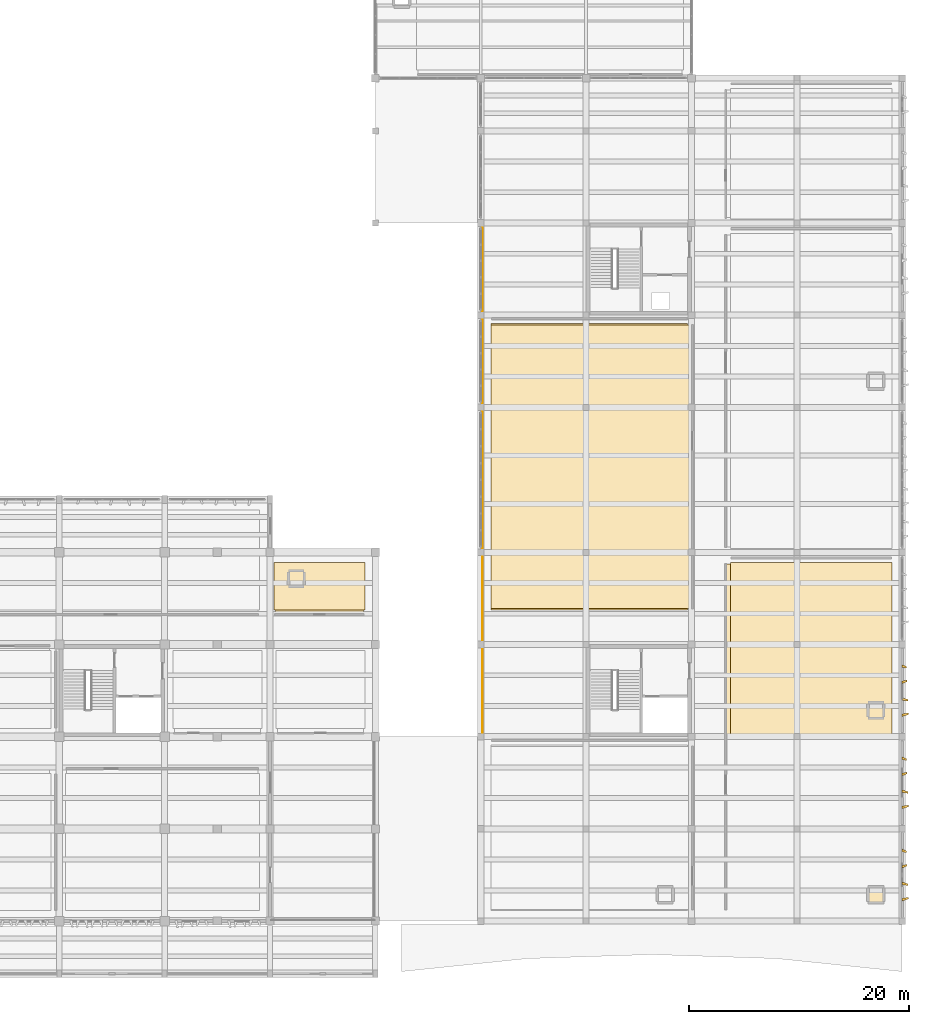
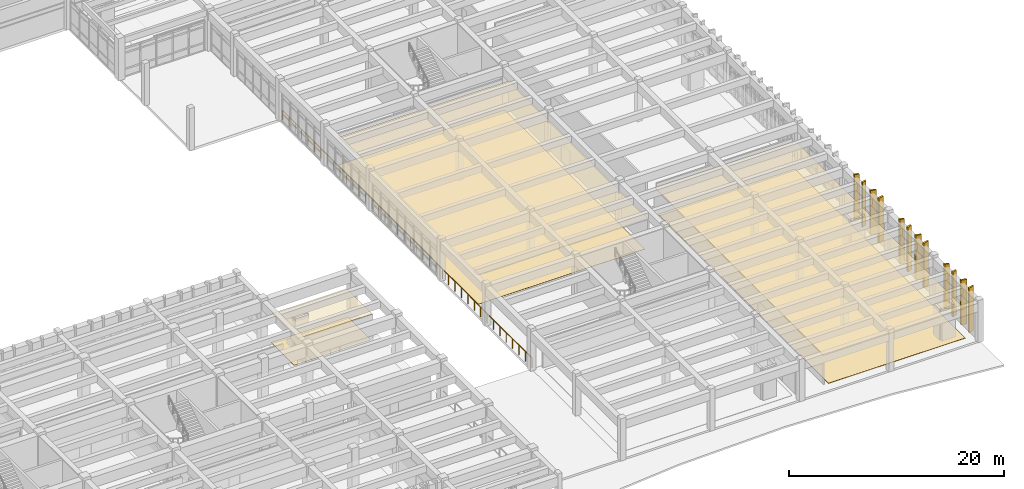
# One storey, part 84 of 86: 18 coverings, 1 railing.
"""IFC4 building model written with IfcOpenShell, lengths in metres."""

from ifc_helpers import new_model, si_unit, direction, frame, origin, origin_2d, place, context, subcontext, project, spatial, polyline, circle, outline, extrude, material, layer, layer_set, type_object, element, save


model = new_model("IFC4")

# Units and contexts
model_context = context("Model", 3, precision=1e-05, world=origin(), true_north=direction((0.0, 1.0)))
body_context = subcontext(model_context, "Body", "Model", "MODEL_VIEW")
ifc_project = project(units=[si_unit("LENGTHUNIT", "METRE"), si_unit("AREAUNIT", "SQUARE_METRE"), si_unit("VOLUMEUNIT", "CUBIC_METRE"), si_unit("PLANEANGLEUNIT", "RADIAN"), si_unit("MASSUNIT", "GRAM", prefix="KILO")], contexts=[model_context])

# Site, building, storey
site_placement = place(None, origin())
site = spatial("IfcSite", under=ifc_project, at=site_placement, CompositionType="ELEMENT")
building_placement = place(site_placement, origin())
building = spatial("IfcBuilding", under=site, at=building_placement, Name="Kolvemor Railside Polytechnic", CompositionType="ELEMENT")
storey_placement = place(building_placement, frame((0.0, 0.0, 5.39990234375)))
storey = spatial("IfcBuildingStorey", under=building, at=storey_placement, Name="L01", CompositionType="ELEMENT", Elevation=5.39990234375)

# Coverings
ifc_material_1 = material(Name="Perforated acoustic mineral-fibre and timber-slat ceiling", Category="wood")
ifc_layer_1 = layer(ifc_material_1, 0.02490234375, Name="COV-CEIL-1")
ifc_layer_set_1 = layer_set([ifc_layer_1], Name="Perforated acoustic mineral-fibre and timber-slat ceiling")
covering_type_1 = type_object("IfcCoveringType", Name="COV-CEIL-1", PredefinedType="CEILING", material=ifc_layer_set_1)
covering_1_placement = place(storey_placement, frame((0.0, 0.0, 3.235107421875)))
element("IfcCovering", 1, at=covering_1_placement, inside=storey, type_object=covering_type_1, Name="Laboratory Prep and Technician Office L01 Acoustic Ceiling", PredefinedType="CEILING", context=body_context, shape_type="SweptSolid", body=[
    extrude(outline(polyline([(125.280029296875, 32.719970703125), (133.320068359375, 32.719970703125), (133.320068359375, 37.449951171875), (125.280029296875, 37.449951171875), (125.280029296875, 32.719970703125)])), origin(), (0.0, 0.0, 1.0), 0.02490234375),
])
covering_2_placement = place(storey_placement, frame((0.0, 0.0, 3.235107421875)))
element("IfcCovering", 2, at=covering_2_placement, inside=storey, type_object=covering_type_1, Name="Student Study Lounge L01 Acoustic Ceiling", PredefinedType="CEILING", context=body_context, shape_type="SweptSolid", body=[
    extrude(outline(polyline([(144.949951171875, 33.280029296875), (163.280029296875, 33.280029296875), (163.280029296875, 59.1201171875), (144.949951171875, 59.1201171875), (144.949951171875, 33.280029296875)])), origin(), (0.0, 0.0, 1.0), 0.02490234375),
])
ifc_material_2 = material(Name="Perforated acoustic mineral-fibre and timber-slat ceiling", Category="wood")
ifc_layer_2 = layer(ifc_material_2, 0.034912109375, Name="COV-CEIL-3")
ifc_layer_set_2 = layer_set([ifc_layer_2], Name="Perforated acoustic mineral-fibre and timber-slat ceiling")
covering_type_2 = type_object("IfcCoveringType", Name="COV-CEIL-3", PredefinedType="CEILING", material=ifc_layer_set_2)
covering_3_placement = place(storey_placement, frame((0.0, 0.0, 3.22509765625)))
element("IfcCovering", 3, at=covering_3_placement, inside=storey, type_object=covering_type_2, Name="Student Media and Radio Studio Acoustic Ceiling", PredefinedType="CEILING", context=body_context, shape_type="SweptSolid", body=[
    extrude(outline(polyline([(166.320068359375, 5.8798828125), (181.449951171875, 5.8798828125), (181.449951171875, 37.320068359375), (166.320068359375, 37.320068359375), (166.320068359375, 5.8798828125)])), origin(), (0.0, 0.0, 1.0), 0.034912109375),
])
ifc_material_3 = material(Name="Sea-mist PVDF-anodised marine aluminium 5052-H32", Category="aluminium")
ifc_layer_3 = layer(ifc_material_3, 0.159912109375, Name="COV-FIN-MIST")
ifc_layer_set_3 = layer_set([ifc_layer_3], Name="Sea-mist PVDF-anodised marine aluminium 5052-H32")
covering_type_3 = type_object("IfcCoveringType", Name="COV-FIN-MIST", PredefinedType="CLADDING", material=ifc_layer_set_3)
covering_4_placement = place(storey_placement, frame((0.0, 0.0, -0.27978515625)))
element("IfcCovering", 4, at=covering_4_placement, inside=storey, type_object=covering_type_3, Name="Pleated Solar Fin L01-0068", PredefinedType="CLADDING", context=body_context, shape_type="SweptSolid", body=[
    extrude(outline(polyline([(182.364990234375, 6.635009765625), (182.364990234375, 6.864990234375), (182.964111328125, 6.969970703125), (182.964111328125, 6.81005859375), (182.364990234375, 6.635009765625)])), origin(), (0.0, 0.0, 1.0), 5.079833984375),
])
covering_5_placement = place(storey_placement, frame((0.0, 0.0, -0.27978515625)))
element("IfcCovering", 5, at=covering_5_placement, inside=storey, type_object=covering_type_3, Name="Pleated Solar Fin L01-0069", PredefinedType="CLADDING", context=body_context, shape_type="SweptSolid", body=[
    extrude(outline(polyline([(182.364990234375, 8.135009765625), (182.364990234375, 8.364990234375), (182.927978515625, 8.18994140625), (182.927978515625, 8.030029296875), (182.364990234375, 8.135009765625)])), origin(), (0.0, 0.0, 1.0), 5.079833984375),
])
covering_6_placement = place(storey_placement, frame((0.0, 0.0, -0.27978515625)))
element("IfcCovering", 6, at=covering_6_placement, inside=storey, type_object=covering_type_3, Name="Pleated Solar Fin L01-0070", PredefinedType="CLADDING", context=body_context, shape_type="SweptSolid", body=[
    extrude(outline(polyline([(182.364990234375, 9.635009765625), (182.364990234375, 9.864990234375), (182.842041015625, 9.969970703125), (182.842041015625, 9.81005859375), (182.364990234375, 9.635009765625)])), origin(), (0.0, 0.0, 1.0), 5.079833984375),
])
covering_7_placement = place(storey_placement, frame((0.0, 0.0, -0.27978515625)))
element("IfcCovering", 7, at=covering_7_placement, inside=storey, type_object=covering_type_3, Name="Pleated Solar Fin L01-0071", PredefinedType="CLADDING", context=body_context, shape_type="SweptSolid", body=[
    extrude(outline(polyline([(182.364990234375, 11.135009765625), (182.364990234375, 11.364990234375), (182.805908203125, 11.18994140625), (182.805908203125, 11.030029296875), (182.364990234375, 11.135009765625)])), origin(), (0.0, 0.0, 1.0), 5.079833984375),
])
covering_8_placement = place(storey_placement, frame((0.0, 0.0, -0.27978515625)))
element("IfcCovering", 8, at=covering_8_placement, inside=storey, type_object=covering_type_3, Name="Pleated Solar Fin L01-0089", PredefinedType="CLADDING", context=body_context, shape_type="SweptSolid", body=[
    extrude(outline(polyline([(182.364990234375, 15.034912109375), (182.364990234375, 15.264892578125), (182.964111328125, 15.3701171875), (182.964111328125, 15.2099609375), (182.364990234375, 15.034912109375)])), origin(), (0.0, 0.0, 1.0), 5.079833984375),
])
covering_9_placement = place(storey_placement, frame((0.0, 0.0, -0.27978515625)))
element("IfcCovering", 9, at=covering_9_placement, inside=storey, type_object=covering_type_3, Name="Pleated Solar Fin L01-0090", PredefinedType="CLADDING", context=body_context, shape_type="SweptSolid", body=[
    extrude(outline(polyline([(182.364990234375, 16.534912109375), (182.364990234375, 16.764892578125), (182.927978515625, 16.590087890625), (182.927978515625, 16.429931640625), (182.364990234375, 16.534912109375)])), origin(), (0.0, 0.0, 1.0), 5.079833984375),
])
covering_10_placement = place(storey_placement, frame((0.0, 0.0, -0.27978515625)))
element("IfcCovering", 10, at=covering_10_placement, inside=storey, type_object=covering_type_3, Name="Pleated Solar Fin L01-0091", PredefinedType="CLADDING", context=body_context, shape_type="SweptSolid", body=[
    extrude(outline(polyline([(182.364990234375, 18.034912109375), (182.364990234375, 18.264892578125), (182.842041015625, 18.3701171875), (182.842041015625, 18.2099609375), (182.364990234375, 18.034912109375)])), origin(), (0.0, 0.0, 1.0), 5.079833984375),
])
covering_11_placement = place(storey_placement, frame((0.0, 0.0, -0.27978515625)))
element("IfcCovering", 11, at=covering_11_placement, inside=storey, type_object=covering_type_3, Name="Pleated Solar Fin L01-0092", PredefinedType="CLADDING", context=body_context, shape_type="SweptSolid", body=[
    extrude(outline(polyline([(182.364990234375, 19.534912109375), (182.364990234375, 19.764892578125), (182.805908203125, 19.590087890625), (182.805908203125, 19.429931640625), (182.364990234375, 19.534912109375)])), origin(), (0.0, 0.0, 1.0), 5.079833984375),
])
covering_12_placement = place(storey_placement, frame((0.0, 0.0, -0.27978515625)))
element("IfcCovering", 12, at=covering_12_placement, inside=storey, type_object=covering_type_3, Name="Pleated Solar Fin L01-0114", PredefinedType="CLADDING", context=body_context, shape_type="SweptSolid", body=[
    extrude(outline(polyline([(182.364990234375, 23.43505859375), (182.364990234375, 23.6650390625), (182.964111328125, 23.77001953125), (182.964111328125, 23.610107421875), (182.364990234375, 23.43505859375)])), origin(), (0.0, 0.0, 1.0), 5.079833984375),
])
covering_13_placement = place(storey_placement, frame((0.0, 0.0, -0.27978515625)))
element("IfcCovering", 13, at=covering_13_placement, inside=storey, type_object=covering_type_3, Name="Pleated Solar Fin L01-0115", PredefinedType="CLADDING", context=body_context, shape_type="SweptSolid", body=[
    extrude(outline(polyline([(182.364990234375, 24.93505859375), (182.364990234375, 25.1650390625), (182.927978515625, 24.989990234375), (182.927978515625, 24.830078125), (182.364990234375, 24.93505859375)])), origin(), (0.0, 0.0, 1.0), 5.079833984375),
])
covering_14_placement = place(storey_placement, frame((0.0, 0.0, -0.27978515625)))
element("IfcCovering", 14, at=covering_14_placement, inside=storey, type_object=covering_type_3, Name="Pleated Solar Fin L01-0116", PredefinedType="CLADDING", context=body_context, shape_type="SweptSolid", body=[
    extrude(outline(polyline([(182.364990234375, 26.43505859375), (182.364990234375, 26.6650390625), (182.842041015625, 26.77001953125), (182.842041015625, 26.610107421875), (182.364990234375, 26.43505859375)])), origin(), (0.0, 0.0, 1.0), 5.079833984375),
])
covering_15_placement = place(storey_placement, frame((0.0, 0.0, -0.27978515625)))
element("IfcCovering", 15, at=covering_15_placement, inside=storey, type_object=covering_type_3, Name="Pleated Solar Fin L01-0117", PredefinedType="CLADDING", context=body_context, shape_type="SweptSolid", body=[
    extrude(outline(polyline([(182.364990234375, 27.93505859375), (182.364990234375, 28.1650390625), (182.805908203125, 27.989990234375), (182.805908203125, 27.830078125), (182.364990234375, 27.93505859375)])), origin(), (0.0, 0.0, 1.0), 5.079833984375),
])
ifc_material_4 = material(Name="Polished coral-aggregate terrazzo and laboratory epoxy flooring")
ifc_layer_4 = layer(ifc_material_4, 0.02001953125, Name="COV-FLR-1")
ifc_layer_set_4 = layer_set([ifc_layer_4], Name="Polished coral-aggregate terrazzo and laboratory epoxy flooring")
covering_type_4 = type_object("IfcCoveringType", Name="COV-FLR-1", PredefinedType="FLOORING", material=ifc_layer_set_4)
covering_16_placement = place(storey_placement, origin())
element("IfcCovering", 16, at=covering_16_placement, inside=storey, type_object=covering_type_4, Name="Laboratory Prep and Technician Office L01 Floor Finish", PredefinedType="FLOORING", context=body_context, shape_type="SweptSolid", body=[
    extrude(outline(polyline([(125.14990234375, 33.14990234375), (133.449951171875, 33.14990234375), (133.449951171875, 37.449951171875), (125.14990234375, 37.449951171875), (125.14990234375, 33.14990234375)])), origin(), (0.0, 0.0, 1.0), 0.02001953125),
])
covering_17_placement = place(storey_placement, origin())
element("IfcCovering", 17, at=covering_17_placement, inside=storey, type_object=covering_type_4, Name="Student Study Lounge L01 Floor Finish", PredefinedType="FLOORING", context=body_context, shape_type="SweptSolid", body=[
    extrude(outline(polyline([(144.949951171875, 33.14990234375), (162.85009765625, 33.14990234375), (162.85009765625, 59.25), (144.949951171875, 59.25), (144.949951171875, 33.14990234375)])), origin(), (0.0, 0.0, 1.0), 0.02001953125),
])
ifc_material_5 = material(Name="Polished coral-aggregate terrazzo and laboratory epoxy flooring")
ifc_layer_5 = layer(ifc_material_5, 0.030029296875, Name="COV-FLR-3")
ifc_layer_set_5 = layer_set([ifc_layer_5], Name="Polished coral-aggregate terrazzo and laboratory epoxy flooring")
covering_type_5 = type_object("IfcCoveringType", Name="COV-FLR-3", PredefinedType="FLOORING", material=ifc_layer_set_5)
covering_18_placement = place(storey_placement, origin())
element("IfcCovering", 18, at=covering_18_placement, inside=storey, type_object=covering_type_5, Name="Student Media and Radio Studio Floor Finish", PredefinedType="FLOORING", context=body_context, shape_type="SweptSolid", body=[
    extrude(outline(polyline([(166.75, 5.75), (181.449951171875, 5.75), (181.449951171875, 37.449951171875), (166.75, 37.449951171875), (166.75, 5.75)])), origin(), (0.0, 0.0, 1.0), 0.030029296875),
])

# Railing
ifc_material_6 = material(Name="AISI 316 marine stainless-steel balustrade guard", Category="steel")
railing_type = type_object("IfcRailingType", Name="RLG-GUARD-1120", PredefinedType="BALUSTRADE", material=ifc_material_6)
railing_placement = place(storey_placement, frame((144.14990234375, 21.800048828125, 0.0)))
element("IfcRailing", 19, at=railing_placement, inside=storey, type_object=railing_type, Name="Refectory Mezzanine Guard GR-068", PredefinedType="BALUSTRADE", context=body_context, shape_type="SweptSolid", body=[
    extrude(circle(Radius=0.02392578125, at=origin_2d()), frame((0.0, 0.054931640625, 1.09619140625), z_axis=(0.0, 1.0, 0.0), x_axis=(-1.0, 0.0, 0.0)), (0.0, 0.0, 1.0), 46.289794921875),
    extrude(circle(Radius=0.02099609375, at=origin_2d()), origin(), (0.0, 0.0, 1.0), 1.05712890625),
    extrude(circle(Radius=0.02099609375, at=origin_2d()), frame((0.0, 1.189697265625, 0.0)), (0.0, 0.0, 1.0), 1.05712890625),
    extrude(circle(Radius=0.02099609375, at=origin_2d()), frame((0.0, 2.37939453125, 0.0)), (0.0, 0.0, 1.0), 1.05712890625),
    extrude(circle(Radius=0.02099609375, at=origin_2d()), frame((0.0, 3.5693359375, 0.0)), (0.0, 0.0, 1.0), 1.05712890625),
    extrude(circle(Radius=0.02099609375, at=origin_2d()), frame((0.0, 4.759033203125, 0.0)), (0.0, 0.0, 1.0), 1.05712890625),
    extrude(circle(Radius=0.02099609375, at=origin_2d()), frame((0.0, 5.94873046875, 0.0)), (0.0, 0.0, 1.0), 1.05712890625),
    extrude(circle(Radius=0.02099609375, at=origin_2d()), frame((0.0, 7.138427734375, 0.0)), (0.0, 0.0, 1.0), 1.05712890625),
    extrude(circle(Radius=0.02099609375, at=origin_2d()), frame((0.0, 8.328125, 0.0)), (0.0, 0.0, 1.0), 1.05712890625),
    extrude(circle(Radius=0.02099609375, at=origin_2d()), frame((0.0, 9.517822265625, 0.0)), (0.0, 0.0, 1.0), 1.05712890625),
    extrude(circle(Radius=0.02099609375, at=origin_2d()), frame((0.0, 10.707763671875, 0.0)), (0.0, 0.0, 1.0), 1.05712890625),
    extrude(circle(Radius=0.02099609375, at=origin_2d()), frame((0.0, 11.8974609375, 0.0)), (0.0, 0.0, 1.0), 1.05712890625),
    extrude(circle(Radius=0.02099609375, at=origin_2d()), frame((0.0, 13.087158203125, 0.0)), (0.0, 0.0, 1.0), 1.05712890625),
    extrude(circle(Radius=0.02099609375, at=origin_2d()), frame((0.0, 14.27685546875, 0.0)), (0.0, 0.0, 1.0), 1.05712890625),
    extrude(circle(Radius=0.02099609375, at=origin_2d()), frame((0.0, 15.466552734375, 0.0)), (0.0, 0.0, 1.0), 1.05712890625),
    extrude(circle(Radius=0.02099609375, at=origin_2d()), frame((0.0, 16.656494140625, 0.0)), (0.0, 0.0, 1.0), 1.05712890625),
    extrude(circle(Radius=0.02099609375, at=origin_2d()), frame((0.0, 17.84619140625, 0.0)), (0.0, 0.0, 1.0), 1.05712890625),
    extrude(circle(Radius=0.02099609375, at=origin_2d()), frame((0.0, 19.035888671875, 0.0)), (0.0, 0.0, 1.0), 1.05712890625),
    extrude(circle(Radius=0.02099609375, at=origin_2d()), frame((0.0, 20.2255859375, 0.0)), (0.0, 0.0, 1.0), 1.05712890625),
    extrude(circle(Radius=0.02099609375, at=origin_2d()), frame((0.0, 21.415283203125, 0.0)), (0.0, 0.0, 1.0), 1.05712890625),
    extrude(circle(Radius=0.02099609375, at=origin_2d()), frame((0.0, 22.60498046875, 0.0)), (0.0, 0.0, 1.0), 1.05712890625),
    extrude(circle(Radius=0.02099609375, at=origin_2d()), frame((0.0, 23.794921875, 0.0)), (0.0, 0.0, 1.0), 1.05712890625),
    extrude(circle(Radius=0.02099609375, at=origin_2d()), frame((0.0, 24.984619140625, 0.0)), (0.0, 0.0, 1.0), 1.05712890625),
    extrude(circle(Radius=0.02099609375, at=origin_2d()), frame((0.0, 26.17431640625, 0.0)), (0.0, 0.0, 1.0), 1.05712890625),
    extrude(circle(Radius=0.02099609375, at=origin_2d()), frame((0.0, 27.364013671875, 0.0)), (0.0, 0.0, 1.0), 1.05712890625),
    extrude(circle(Radius=0.02099609375, at=origin_2d()), frame((0.0, 28.5537109375, 0.0)), (0.0, 0.0, 1.0), 1.05712890625),
    extrude(circle(Radius=0.02099609375, at=origin_2d()), frame((0.0, 29.743408203125, 0.0)), (0.0, 0.0, 1.0), 1.05712890625),
    extrude(circle(Radius=0.02099609375, at=origin_2d()), frame((0.0, 30.933349609375, 0.0)), (0.0, 0.0, 1.0), 1.05712890625),
    extrude(circle(Radius=0.02099609375, at=origin_2d()), frame((0.0, 32.123046875, 0.0)), (0.0, 0.0, 1.0), 1.05712890625),
    extrude(circle(Radius=0.02099609375, at=origin_2d()), frame((0.0, 33.312744140625, 0.0)), (0.0, 0.0, 1.0), 1.05712890625),
    extrude(circle(Radius=0.02099609375, at=origin_2d()), frame((0.0, 34.50244140625, 0.0)), (0.0, 0.0, 1.0), 1.05712890625),
    extrude(circle(Radius=0.02099609375, at=origin_2d()), frame((0.0, 35.692138671875, 0.0)), (0.0, 0.0, 1.0), 1.05712890625),
    extrude(circle(Radius=0.02099609375, at=origin_2d()), frame((0.0, 36.882080078125, 0.0)), (0.0, 0.0, 1.0), 1.05712890625),
    extrude(circle(Radius=0.02099609375, at=origin_2d()), frame((0.0, 38.07177734375, 0.0)), (0.0, 0.0, 1.0), 1.05712890625),
    extrude(circle(Radius=0.02099609375, at=origin_2d()), frame((0.0, 39.261474609375, 0.0)), (0.0, 0.0, 1.0), 1.05712890625),
    extrude(circle(Radius=0.02099609375, at=origin_2d()), frame((0.0, 40.451171875, 0.0)), (0.0, 0.0, 1.0), 1.05712890625),
    extrude(circle(Radius=0.02099609375, at=origin_2d()), frame((0.0, 41.640869140625, 0.0)), (0.0, 0.0, 1.0), 1.05712890625),
    extrude(circle(Radius=0.02099609375, at=origin_2d()), frame((0.0, 42.83056640625, 0.0)), (0.0, 0.0, 1.0), 1.05712890625),
    extrude(circle(Radius=0.02099609375, at=origin_2d()), frame((0.0, 44.0205078125, 0.0)), (0.0, 0.0, 1.0), 1.05712890625),
    extrude(circle(Radius=0.02099609375, at=origin_2d()), frame((0.0, 45.210205078125, 0.0)), (0.0, 0.0, 1.0), 1.05712890625),
    extrude(circle(Radius=0.02099609375, at=origin_2d()), frame((0.0, 46.39990234375, 0.0)), (0.0, 0.0, 1.0), 1.05712890625),
])

save(model, "model.ifc")
